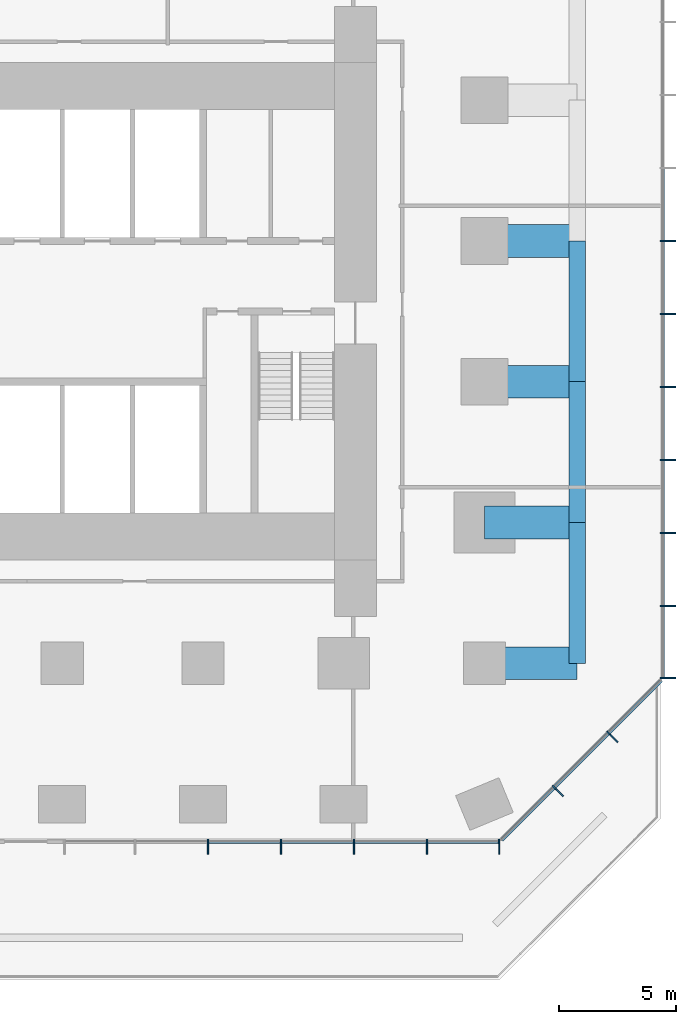
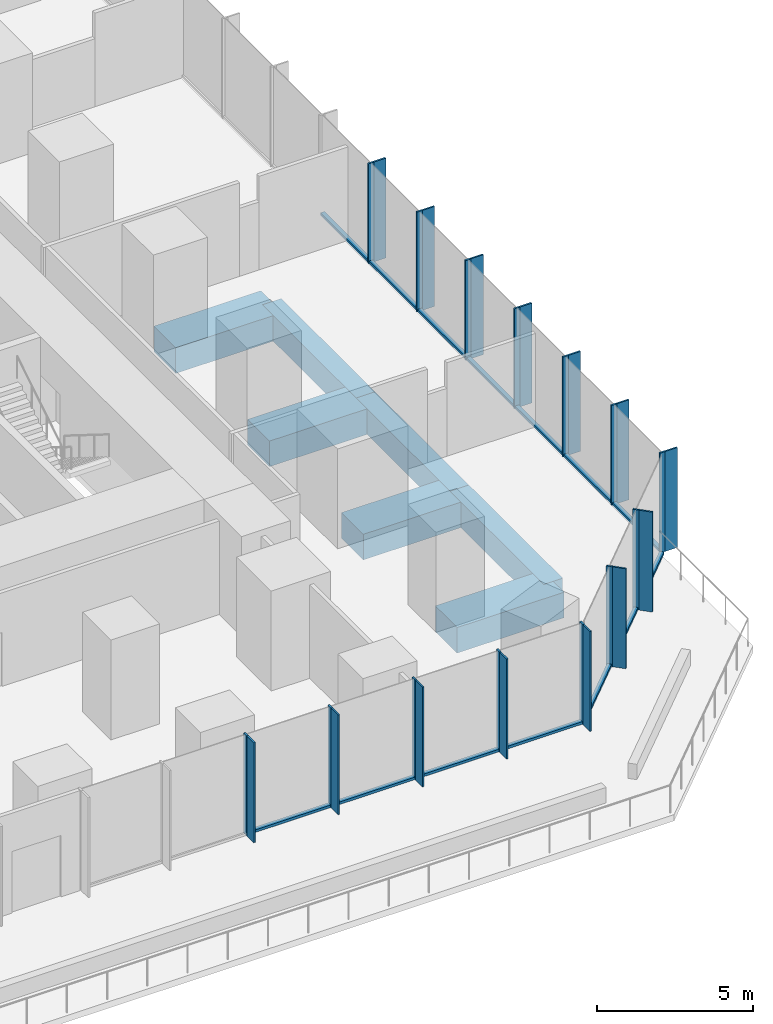
# One storey, part 4 of 12: 42 members, 7 beams, 3 elements without a shape of their own.
"""IFC4 building model written with IfcOpenShell, lengths in metres."""

from ifc_helpers import new_model, si_unit, direction, frame, origin, origin_2d, place, context, subcontext, project, spatial, rectangle, extrude, material, layer, layer_set, material_profile, profile_set, type_object, element, aggregate, save


model = new_model("IFC4")

# Units and contexts
model_context = context("Model", 3, precision=1e-05, world=origin(), true_north=direction((0.0, 1.0)))
body_context = subcontext(model_context, "Body", "Model", "MODEL_VIEW")
ifc_project = project(units=[si_unit("LENGTHUNIT", "METRE"), si_unit("AREAUNIT", "SQUARE_METRE"), si_unit("VOLUMEUNIT", "CUBIC_METRE"), si_unit("PLANEANGLEUNIT", "RADIAN"), si_unit("MASSUNIT", "GRAM", prefix="KILO")], contexts=[model_context])

# Site, building, storey
site_placement = place(None, origin())
site = spatial("IfcSite", under=ifc_project, at=site_placement, CompositionType="ELEMENT")
building_placement = place(site_placement, origin())
building = spatial("IfcBuilding", under=site, at=building_placement, Name="Highveld Stack Headquarters", CompositionType="ELEMENT")
storey_placement = place(building_placement, frame((0.0, 0.0, 65.0)))
storey = spatial("IfcBuildingStorey", under=building, at=storey_placement, Name="L15", CompositionType="ELEMENT", Elevation=65.0)

# Beams
ifc_material_1 = material(Name="Concrete C60/75", Category="concrete")
ifc_material_profile_1 = material_profile(ifc_material_1, rectangle(XDim=1.39990234375, YDim=1.0, at=origin_2d()), Name="RC 1400x1000")
ifc_profile_set_1 = profile_set([ifc_material_profile_1], Name="Concrete C60/75")
beam_type_1 = type_object("IfcBeamType", Name="CANTILEVER RIB RC 1400x1000", PredefinedType="USERDEFINED", material=ifc_profile_set_1)
for number, where, z_axis, x_axis, name in (
    (1, (24.0, -12.0, -0.75), (1.0, 0.0, 0.0), (0.0, 1.0, 0.0), "Cantilever rib 10/C L15"),
    (2, (24.0, -6.0, -0.75), (1.0, 0.0, 0.0), (0.0, 1.0, 0.0), "Cantilever rib 10/D L15"),
    (3, (24.0, 0.0, -0.75), (1.0, 0.0, 0.0), (0.0, 1.0, 0.0), "Cantilever rib 10/E L15"),
    (4, (24.0, 6.0, -0.75), (1.0, 0.0, 0.0), (0.0, 1.0, 0.0), "Cantilever rib 10/F L15"),
):
    element("IfcBeam", number, at=place(storey_placement, frame(where, z_axis=z_axis, x_axis=x_axis)), inside=storey, type_object=beam_type_1, Name=name, ObjectType="CANTILEVER RIB", PredefinedType="USERDEFINED", context=body_context, shape_type="SweptSolid", body=[
        extrude(rectangle(XDim=1.39990234375, YDim=1.0, at=origin_2d()), origin(), (0.0, 0.0, 1.0), 3.949951171875),
    ])

# Curtain wall, members
ifc_material_2 = material(Name="Aluminium bronze anodised", Category="aluminium")
ifc_layer_1 = layer(ifc_material_2, 0.199951171875)
ifc_layer_set_1 = layer_set([ifc_layer_1], Name="Aluminium bronze anodised")
curtain_wall_type_1 = type_object("IfcCurtainWallType", Name="CW1 TOWER UNITISED CURTAIN WALL", PredefinedType="NOTDEFINED", material=ifc_layer_set_1)
curtain_wall_1_placement = place(storey_placement, origin())
curtain_wall_1 = element("IfcCurtainWall", 5, at=curtain_wall_1_placement, inside=storey, type_object=curtain_wall_type_1, Name="Curtain wall CW1 L15 S-2", PredefinedType="NOTDEFINED")
ifc_material_3 = material(Name="Aluminium bronze anodised", Category="aluminium")
ifc_material_profile_2 = material_profile(ifc_material_3, rectangle(XDim=0.449951171875, YDim=0.06005859375, at=origin_2d()), Name="FIN 450x60")
ifc_profile_set_2 = profile_set([ifc_material_profile_2], Name="Aluminium bronze anodised")
member_type_1 = type_object("IfcMemberType", Name="CW1 BRONZE FIN 450x60", PredefinedType="USERDEFINED", material=ifc_profile_set_2)
member_1_placement = place(storey_placement, frame((12.220947265625, -19.925048828125, 0.0), z_axis=(0.0, 0.0, 1.0), x_axis=(0.0, 1.0, 0.0)))
member_1 = element("IfcMember", 6, at=member_1_placement, type_object=member_type_1, Name="CW1 fin L15 3", ObjectType="FIN", PredefinedType="USERDEFINED", context=body_context, shape_type="SweptSolid", body=[
    extrude(rectangle(XDim=0.449951171875, YDim=0.06005859375, at=origin_2d()), origin(), (0.0, 0.0, 1.0), 3.89990234375),
])
member_2_placement = place(storey_placement, frame((15.331298828125, -19.925048828125, 0.0), z_axis=(0.0, 0.0, 1.0), x_axis=(0.0, 1.0, 0.0)))
member_2 = element("IfcMember", 7, at=member_2_placement, type_object=member_type_1, Name="CW1 fin L15 4", ObjectType="FIN", PredefinedType="USERDEFINED", context=body_context, shape_type="SweptSolid", body=[
    extrude(rectangle(XDim=0.449951171875, YDim=0.06005859375, at=origin_2d()), origin(), (0.0, 0.0, 1.0), 3.89990234375),
])
member_3_placement = place(storey_placement, frame((18.44189453125, -19.925048828125, 0.0), z_axis=(0.0, 0.0, 1.0), x_axis=(0.0, 1.0, 0.0)))
member_3 = element("IfcMember", 8, at=member_3_placement, type_object=member_type_1, Name="CW1 fin L15 5", ObjectType="FIN", PredefinedType="USERDEFINED", context=body_context, shape_type="SweptSolid", body=[
    extrude(rectangle(XDim=0.449951171875, YDim=0.06005859375, at=origin_2d()), origin(), (0.0, 0.0, 1.0), 3.89990234375),
])
member_4_placement = place(storey_placement, frame((21.55224609375, -19.925048828125, 0.0), z_axis=(0.0, 0.0, 1.0), x_axis=(0.0, 1.0, 0.0)))
member_4 = element("IfcMember", 9, at=member_4_placement, type_object=member_type_1, Name="CW1 fin L15 6", ObjectType="FIN", PredefinedType="USERDEFINED", context=body_context, shape_type="SweptSolid", body=[
    extrude(rectangle(XDim=0.449951171875, YDim=0.06005859375, at=origin_2d()), origin(), (0.0, 0.0, 1.0), 3.89990234375),
])
member_5_placement = place(storey_placement, frame((24.630126953125, -19.925048828125, 0.0), z_axis=(0.0, 0.0, 1.0), x_axis=(0.0, 1.0, 0.0)))
member_5 = element("IfcMember", 10, at=member_5_placement, type_object=member_type_1, Name="CW1 fin L15 7", ObjectType="FIN", PredefinedType="USERDEFINED", context=body_context, shape_type="SweptSolid", body=[
    extrude(rectangle(XDim=0.449951171875, YDim=0.06005859375, at=origin_2d()), origin(), (0.0, 0.0, 1.0), 3.89990234375),
])

curtain_wall_2_placement = place(storey_placement, origin())
curtain_wall_2 = element("IfcCurtainWall", 11, at=curtain_wall_2_placement, inside=storey, type_object=curtain_wall_type_1, Name="Curtain wall CW1 L15 E", PredefinedType="NOTDEFINED")
member_6_placement = place(storey_placement, frame((31.925048828125, -12.630126953125, 0.0), z_axis=(0.0, 0.0, 1.0), x_axis=(-1.0, 0.0, 0.0)))
member_6 = element("IfcMember", 12, at=member_6_placement, type_object=member_type_1, Name="CW1 fin L15 1", ObjectType="FIN", PredefinedType="USERDEFINED", context=body_context, shape_type="SweptSolid", body=[
    extrude(rectangle(XDim=0.449951171875, YDim=0.06005859375, at=origin_2d()), origin(), (0.0, 0.0, 1.0), 3.89990234375),
])
member_7_placement = place(storey_placement, frame((31.925048828125, -9.55224609375, 0.0), z_axis=(0.0, 0.0, 1.0), x_axis=(-1.0, 0.0, 0.0)))
member_7 = element("IfcMember", 13, at=member_7_placement, type_object=member_type_1, Name="CW1 fin L15 2", ObjectType="FIN", PredefinedType="USERDEFINED", context=body_context, shape_type="SweptSolid", body=[
    extrude(rectangle(XDim=0.449951171875, YDim=0.06005859375, at=origin_2d()), origin(), (0.0, 0.0, 1.0), 3.89990234375),
])
member_8_placement = place(storey_placement, frame((31.925048828125, -6.44189453125, 0.0), z_axis=(0.0, 0.0, 1.0), x_axis=(-1.0, 0.0, 0.0)))
member_8 = element("IfcMember", 14, at=member_8_placement, type_object=member_type_1, Name="CW1 fin L15 3", ObjectType="FIN", PredefinedType="USERDEFINED", context=body_context, shape_type="SweptSolid", body=[
    extrude(rectangle(XDim=0.449951171875, YDim=0.06005859375, at=origin_2d()), origin(), (0.0, 0.0, 1.0), 3.89990234375),
])
member_9_placement = place(storey_placement, frame((31.925048828125, -3.331298828125, 0.0), z_axis=(0.0, 0.0, 1.0), x_axis=(-1.0, 0.0, 0.0)))
member_9 = element("IfcMember", 15, at=member_9_placement, type_object=member_type_1, Name="CW1 fin L15 4", ObjectType="FIN", PredefinedType="USERDEFINED", context=body_context, shape_type="SweptSolid", body=[
    extrude(rectangle(XDim=0.449951171875, YDim=0.06005859375, at=origin_2d()), origin(), (0.0, 0.0, 1.0), 3.89990234375),
])
member_10_placement = place(storey_placement, frame((31.925048828125, -0.220947265625, 0.0), z_axis=(0.0, 0.0, 1.0), x_axis=(-1.0, 0.0, 0.0)))
member_10 = element("IfcMember", 16, at=member_10_placement, type_object=member_type_1, Name="CW1 fin L15 5", ObjectType="FIN", PredefinedType="USERDEFINED", context=body_context, shape_type="SweptSolid", body=[
    extrude(rectangle(XDim=0.449951171875, YDim=0.06005859375, at=origin_2d()), origin(), (0.0, 0.0, 1.0), 3.89990234375),
])
member_11_placement = place(storey_placement, frame((31.925048828125, 2.8896484375, 0.0), z_axis=(0.0, 0.0, 1.0), x_axis=(-1.0, 0.0, 0.0)))
member_11 = element("IfcMember", 17, at=member_11_placement, type_object=member_type_1, Name="CW1 fin L15 6", ObjectType="FIN", PredefinedType="USERDEFINED", context=body_context, shape_type="SweptSolid", body=[
    extrude(rectangle(XDim=0.449951171875, YDim=0.06005859375, at=origin_2d()), origin(), (0.0, 0.0, 1.0), 3.89990234375),
])
member_12_placement = place(storey_placement, frame((31.925048828125, 6.0, 0.0), z_axis=(0.0, 0.0, 1.0), x_axis=(-1.0, 0.0, 0.0)))
member_12 = element("IfcMember", 18, at=member_12_placement, type_object=member_type_1, Name="CW1 fin L15 7", ObjectType="FIN", PredefinedType="USERDEFINED", context=body_context, shape_type="SweptSolid", body=[
    extrude(rectangle(XDim=0.449951171875, YDim=0.06005859375, at=origin_2d()), origin(), (0.0, 0.0, 1.0), 3.89990234375),
])

# Member
ifc_material_4 = material(Name="Aluminium bronze anodised", Category="aluminium")
ifc_material_profile_3 = material_profile(ifc_material_4, rectangle(XDim=0.199951171875, YDim=0.06494140625, at=origin_2d()), Name="CW1 MULLION 65x200")
ifc_profile_set_3 = profile_set([ifc_material_profile_3], Name="Aluminium bronze anodised")
member_type_2 = type_object("IfcMemberType", Name="CW1 MULLION 65x200", PredefinedType="MULLION", material=ifc_profile_set_3)
member_13_placement = place(storey_placement, frame((12.220947265625, -19.60009765625, 0.0), z_axis=(0.0, 0.0, 1.0), x_axis=(0.0, 1.0, 0.0)))
member_13 = element("IfcMember", 19, at=member_13_placement, type_object=member_type_2, Name="CW1 mullion L15 3", PredefinedType="MULLION", context=body_context, shape_type="SweptSolid", body=[
    extrude(rectangle(XDim=0.199951171875, YDim=0.06494140625, at=origin_2d()), origin(), (0.0, 0.0, 1.0), 3.89990234375),
])

member_14_placement = place(storey_placement, frame((15.331298828125, -19.60009765625, 0.0), z_axis=(0.0, 0.0, 1.0), x_axis=(0.0, 1.0, 0.0)))
member_14 = element("IfcMember", 20, at=member_14_placement, type_object=member_type_2, Name="CW1 mullion L15 4", PredefinedType="MULLION", context=body_context, shape_type="SweptSolid", body=[
    extrude(rectangle(XDim=0.199951171875, YDim=0.06494140625, at=origin_2d()), origin(), (0.0, 0.0, 1.0), 3.89990234375),
])

member_15_placement = place(storey_placement, frame((18.44189453125, -19.60009765625, 0.0), z_axis=(0.0, 0.0, 1.0), x_axis=(0.0, 1.0, 0.0)))
member_15 = element("IfcMember", 21, at=member_15_placement, type_object=member_type_2, Name="CW1 mullion L15 5", PredefinedType="MULLION", context=body_context, shape_type="SweptSolid", body=[
    extrude(rectangle(XDim=0.199951171875, YDim=0.06494140625, at=origin_2d()), origin(), (0.0, 0.0, 1.0), 3.89990234375),
])

member_16_placement = place(storey_placement, frame((21.55224609375, -19.60009765625, 0.0), z_axis=(0.0, 0.0, 1.0), x_axis=(0.0, 1.0, 0.0)))
member_16 = element("IfcMember", 22, at=member_16_placement, type_object=member_type_2, Name="CW1 mullion L15 6", PredefinedType="MULLION", context=body_context, shape_type="SweptSolid", body=[
    extrude(rectangle(XDim=0.199951171875, YDim=0.06494140625, at=origin_2d()), origin(), (0.0, 0.0, 1.0), 3.89990234375),
])

member_17_placement = place(storey_placement, frame((24.630126953125, -19.60009765625, 0.0), z_axis=(0.0, 0.0, 1.0), x_axis=(0.0, 1.0, 0.0)))
member_17 = element("IfcMember", 23, at=member_17_placement, type_object=member_type_2, Name="CW1 mullion L15 7", PredefinedType="MULLION", context=body_context, shape_type="SweptSolid", body=[
    extrude(rectangle(XDim=0.199951171875, YDim=0.06494140625, at=origin_2d()), origin(), (0.0, 0.0, 1.0), 3.89990234375),
])

member_18_placement = place(storey_placement, frame((31.60009765625, -12.630126953125, 0.0), z_axis=(0.0, 0.0, 1.0), x_axis=(-1.0, 0.0, 0.0)))
member_18 = element("IfcMember", 24, at=member_18_placement, type_object=member_type_2, Name="CW1 mullion L15 1", PredefinedType="MULLION", context=body_context, shape_type="SweptSolid", body=[
    extrude(rectangle(XDim=0.199951171875, YDim=0.06494140625, at=origin_2d()), origin(), (0.0, 0.0, 1.0), 3.89990234375),
])

member_19_placement = place(storey_placement, frame((31.60009765625, -9.55224609375, 0.0), z_axis=(0.0, 0.0, 1.0), x_axis=(-1.0, 0.0, 0.0)))
member_19 = element("IfcMember", 25, at=member_19_placement, type_object=member_type_2, Name="CW1 mullion L15 2", PredefinedType="MULLION", context=body_context, shape_type="SweptSolid", body=[
    extrude(rectangle(XDim=0.199951171875, YDim=0.06494140625, at=origin_2d()), origin(), (0.0, 0.0, 1.0), 3.89990234375),
])

member_20_placement = place(storey_placement, frame((31.60009765625, -6.44189453125, 0.0), z_axis=(0.0, 0.0, 1.0), x_axis=(-1.0, 0.0, 0.0)))
member_20 = element("IfcMember", 26, at=member_20_placement, type_object=member_type_2, Name="CW1 mullion L15 3", PredefinedType="MULLION", context=body_context, shape_type="SweptSolid", body=[
    extrude(rectangle(XDim=0.199951171875, YDim=0.06494140625, at=origin_2d()), origin(), (0.0, 0.0, 1.0), 3.89990234375),
])

member_21_placement = place(storey_placement, frame((31.60009765625, -3.331298828125, 0.0), z_axis=(0.0, 0.0, 1.0), x_axis=(-1.0, 0.0, 0.0)))
member_21 = element("IfcMember", 27, at=member_21_placement, type_object=member_type_2, Name="CW1 mullion L15 4", PredefinedType="MULLION", context=body_context, shape_type="SweptSolid", body=[
    extrude(rectangle(XDim=0.199951171875, YDim=0.06494140625, at=origin_2d()), origin(), (0.0, 0.0, 1.0), 3.89990234375),
])

member_22_placement = place(storey_placement, frame((31.60009765625, -0.220947265625, 0.0), z_axis=(0.0, 0.0, 1.0), x_axis=(-1.0, 0.0, 0.0)))
member_22 = element("IfcMember", 28, at=member_22_placement, type_object=member_type_2, Name="CW1 mullion L15 5", PredefinedType="MULLION", context=body_context, shape_type="SweptSolid", body=[
    extrude(rectangle(XDim=0.199951171875, YDim=0.06494140625, at=origin_2d()), origin(), (0.0, 0.0, 1.0), 3.89990234375),
])

member_23_placement = place(storey_placement, frame((31.60009765625, 2.8896484375, 0.0), z_axis=(0.0, 0.0, 1.0), x_axis=(-1.0, 0.0, 0.0)))
member_23 = element("IfcMember", 29, at=member_23_placement, type_object=member_type_2, Name="CW1 mullion L15 6", PredefinedType="MULLION", context=body_context, shape_type="SweptSolid", body=[
    extrude(rectangle(XDim=0.199951171875, YDim=0.06494140625, at=origin_2d()), origin(), (0.0, 0.0, 1.0), 3.89990234375),
])

member_24_placement = place(storey_placement, frame((31.60009765625, 6.0, 0.0), z_axis=(0.0, 0.0, 1.0), x_axis=(-1.0, 0.0, 0.0)))
member_24 = element("IfcMember", 30, at=member_24_placement, type_object=member_type_2, Name="CW1 mullion L15 7", PredefinedType="MULLION", context=body_context, shape_type="SweptSolid", body=[
    extrude(rectangle(XDim=0.199951171875, YDim=0.06494140625, at=origin_2d()), origin(), (0.0, 0.0, 1.0), 3.89990234375),
])

ifc_material_5 = material(Name="Aluminium bronze anodised", Category="aluminium")
ifc_material_profile_4 = material_profile(ifc_material_5, rectangle(XDim=0.14990234375, YDim=0.10009765625, at=origin_2d()), Name="CW1 TRANSOM 150x100")
ifc_profile_set_4 = profile_set([ifc_material_profile_4], Name="Aluminium bronze anodised")
member_type_3 = type_object("IfcMemberType", Name="CW1 STACK TRANSOM 150x100", PredefinedType="USERDEFINED", material=ifc_profile_set_4)
member_25_placement = place(storey_placement, frame((12.25341796875, -19.60009765625, 0.050048828125), z_axis=(1.0, 0.0, 0.0), x_axis=(0.0, 1.0, 0.0)))
member_25 = element("IfcMember", 31, at=member_25_placement, type_object=member_type_3, Name="CW1 transom L15 9.1", ObjectType="TRANSOM", PredefinedType="USERDEFINED", context=body_context, shape_type="SweptSolid", body=[
    extrude(rectangle(XDim=0.14990234375, YDim=0.10009765625, at=origin_2d()), origin(), (0.0, 0.0, 1.0), 3.04541015625),
])

member_26_placement = place(storey_placement, frame((15.364013671875, -19.60009765625, 0.050048828125), z_axis=(1.0, 0.0, 0.0), x_axis=(0.0, 1.0, 0.0)))
member_26 = element("IfcMember", 32, at=member_26_placement, type_object=member_type_3, Name="CW1 transom L15 10.1", ObjectType="TRANSOM", PredefinedType="USERDEFINED", context=body_context, shape_type="SweptSolid", body=[
    extrude(rectangle(XDim=0.14990234375, YDim=0.10009765625, at=origin_2d()), origin(), (0.0, 0.0, 1.0), 3.045166015625),
])

member_27_placement = place(storey_placement, frame((18.474365234375, -19.60009765625, 0.050048828125), z_axis=(1.0, 0.0, 0.0), x_axis=(0.0, 1.0, 0.0)))
member_27 = element("IfcMember", 33, at=member_27_placement, type_object=member_type_3, Name="CW1 transom L15 11.1", ObjectType="TRANSOM", PredefinedType="USERDEFINED", context=body_context, shape_type="SweptSolid", body=[
    extrude(rectangle(XDim=0.14990234375, YDim=0.10009765625, at=origin_2d()), origin(), (0.0, 0.0, 1.0), 3.04541015625),
])

member_28_placement = place(storey_placement, frame((21.584716796875, -19.60009765625, 0.050048828125), z_axis=(1.0, 0.0, 0.0), x_axis=(0.0, 1.0, 0.0)))
member_28 = element("IfcMember", 34, at=member_28_placement, type_object=member_type_3, Name="CW1 transom L15 12.1", ObjectType="TRANSOM", PredefinedType="USERDEFINED", context=body_context, shape_type="SweptSolid", body=[
    extrude(rectangle(XDim=0.14990234375, YDim=0.10009765625, at=origin_2d()), origin(), (0.0, 0.0, 1.0), 3.012939453125),
])

aggregate(curtain_wall_1, [member_13, member_1, member_14, member_2, member_15, member_3, member_16, member_4, member_17, member_5, member_25, member_26, member_27, member_28])

member_29_placement = place(storey_placement, frame((31.60009765625, -12.59765625, 0.050048828125), z_axis=(0.0, 1.0, 0.0), x_axis=(-1.0, 0.0, 0.0)))
member_29 = element("IfcMember", 35, at=member_29_placement, type_object=member_type_3, Name="CW1 transom L15 1.1", ObjectType="TRANSOM", PredefinedType="USERDEFINED", context=body_context, shape_type="SweptSolid", body=[
    extrude(rectangle(XDim=0.14990234375, YDim=0.10009765625, at=origin_2d()), origin(), (0.0, 0.0, 1.0), 3.012939453125),
])

member_30_placement = place(storey_placement, frame((31.60009765625, -9.519775390625, 0.050048828125), z_axis=(0.0, 1.0, 0.0), x_axis=(-1.0, 0.0, 0.0)))
member_30 = element("IfcMember", 36, at=member_30_placement, type_object=member_type_3, Name="CW1 transom L15 2.1", ObjectType="TRANSOM", PredefinedType="USERDEFINED", context=body_context, shape_type="SweptSolid", body=[
    extrude(rectangle(XDim=0.14990234375, YDim=0.10009765625, at=origin_2d()), origin(), (0.0, 0.0, 1.0), 3.04541015625),
])

member_31_placement = place(storey_placement, frame((31.60009765625, -6.4091796875, 0.050048828125), z_axis=(0.0, 1.0, 0.0), x_axis=(-1.0, 0.0, 0.0)))
member_31 = element("IfcMember", 37, at=member_31_placement, type_object=member_type_3, Name="CW1 transom L15 3.1", ObjectType="TRANSOM", PredefinedType="USERDEFINED", context=body_context, shape_type="SweptSolid", body=[
    extrude(rectangle(XDim=0.14990234375, YDim=0.10009765625, at=origin_2d()), origin(), (0.0, 0.0, 1.0), 3.04541015625),
])

member_32_placement = place(storey_placement, frame((31.60009765625, -3.298828125, 0.050048828125), z_axis=(0.0, 1.0, 0.0), x_axis=(-1.0, 0.0, 0.0)))
member_32 = element("IfcMember", 38, at=member_32_placement, type_object=member_type_3, Name="CW1 transom L15 4.1", ObjectType="TRANSOM", PredefinedType="USERDEFINED", context=body_context, shape_type="SweptSolid", body=[
    extrude(rectangle(XDim=0.14990234375, YDim=0.10009765625, at=origin_2d()), origin(), (0.0, 0.0, 1.0), 3.04541015625),
])

member_33_placement = place(storey_placement, frame((31.60009765625, -0.1884765625, 0.050048828125), z_axis=(0.0, 1.0, 0.0), x_axis=(-1.0, 0.0, 0.0)))
member_33 = element("IfcMember", 39, at=member_33_placement, type_object=member_type_3, Name="CW1 transom L15 5.1", ObjectType="TRANSOM", PredefinedType="USERDEFINED", context=body_context, shape_type="SweptSolid", body=[
    extrude(rectangle(XDim=0.14990234375, YDim=0.10009765625, at=origin_2d()), origin(), (0.0, 0.0, 1.0), 3.045654296875),
])

member_34_placement = place(storey_placement, frame((31.60009765625, 2.922119140625, 0.050048828125), z_axis=(0.0, 1.0, 0.0), x_axis=(-1.0, 0.0, 0.0)))
member_34 = element("IfcMember", 40, at=member_34_placement, type_object=member_type_3, Name="CW1 transom L15 6.1", ObjectType="TRANSOM", PredefinedType="USERDEFINED", context=body_context, shape_type="SweptSolid", body=[
    extrude(rectangle(XDim=0.14990234375, YDim=0.10009765625, at=origin_2d()), origin(), (0.0, 0.0, 1.0), 3.04541015625),
])

member_35_placement = place(storey_placement, frame((31.60009765625, 6.032470703125, 0.050048828125), z_axis=(0.0, 1.0, 0.0), x_axis=(-1.0, 0.0, 0.0)))
member_35 = element("IfcMember", 41, at=member_35_placement, type_object=member_type_3, Name="CW1 transom L15 7.1", ObjectType="TRANSOM", PredefinedType="USERDEFINED", context=body_context, shape_type="SweptSolid", body=[
    extrude(rectangle(XDim=0.14990234375, YDim=0.10009765625, at=origin_2d()), origin(), (0.0, 0.0, 1.0), 3.04541015625),
])

aggregate(curtain_wall_2, [member_18, member_6, member_19, member_7, member_20, member_8, member_21, member_9, member_22, member_10, member_23, member_11, member_24, member_12, member_29, member_30, member_31, member_32, member_33, member_34, member_35])

# Curtain wall, members
ifc_material_6 = material(Name="Aluminium bronze anodised", Category="aluminium")
ifc_layer_2 = layer(ifc_material_6, 0.199951171875)
ifc_layer_set_2 = layer_set([ifc_layer_2], Name="Aluminium bronze anodised")
curtain_wall_type_2 = type_object("IfcCurtainWallType", Name="CW2 TOWER CHAMFER UNITISED CURTAIN WALL", PredefinedType="NOTDEFINED", material=ifc_layer_set_2)
curtain_wall_3_placement = place(storey_placement, origin())
curtain_wall_3 = element("IfcCurtainWall", 42, at=curtain_wall_3_placement, inside=storey, type_object=curtain_wall_type_2, Name="Curtain wall CW2 L15 SE", PredefinedType="NOTDEFINED")
ifc_material_7 = material(Name="Aluminium bronze anodised", Category="aluminium")
ifc_material_profile_5 = material_profile(ifc_material_7, rectangle(XDim=0.449951171875, YDim=0.06005859375, at=origin_2d()), Name="FIN 450x60")
ifc_profile_set_5 = profile_set([ifc_material_profile_5], Name="Aluminium bronze anodised")
member_type_4 = type_object("IfcMemberType", Name="CW2 BRONZE FIN 450x60", PredefinedType="USERDEFINED", material=ifc_profile_set_5)
member_36_placement = place(storey_placement, frame((27.204833984375, -17.517333984375, 0.0), z_axis=(0.0, 0.0, 1.0), x_axis=(-0.707106781187, 0.707106781187, 0.0)))
member_36 = element("IfcMember", 43, at=member_36_placement, type_object=member_type_4, Name="CW2 fin L15 1", ObjectType="FIN", PredefinedType="USERDEFINED", context=body_context, shape_type="SweptSolid", body=[
    extrude(rectangle(XDim=0.449951171875, YDim=0.06005859375, at=origin_2d()), origin(), (0.0, 0.0, 1.0), 3.89990234375),
])
member_37_placement = place(storey_placement, frame((29.517333984375, -15.204833984375, 0.0), z_axis=(0.0, 0.0, 1.0), x_axis=(-0.707106781187, 0.707106781187, 0.0)))
member_37 = element("IfcMember", 44, at=member_37_placement, type_object=member_type_4, Name="CW2 fin L15 2", ObjectType="FIN", PredefinedType="USERDEFINED", context=body_context, shape_type="SweptSolid", body=[
    extrude(rectangle(XDim=0.449951171875, YDim=0.06005859375, at=origin_2d()), origin(), (0.0, 0.0, 1.0), 3.89990234375),
])
ifc_material_8 = material(Name="Aluminium bronze anodised", Category="aluminium")
ifc_material_profile_6 = material_profile(ifc_material_8, rectangle(XDim=0.199951171875, YDim=0.06494140625, at=origin_2d()), Name="CW2 MULLION 65x200")
ifc_profile_set_6 = profile_set([ifc_material_profile_6], Name="Aluminium bronze anodised")
member_type_5 = type_object("IfcMemberType", Name="CW2 MULLION 65x200", PredefinedType="MULLION", material=ifc_profile_set_6)
member_38_placement = place(storey_placement, frame((26.97509765625, -17.28759765625, 0.0), z_axis=(0.0, 0.0, 1.0), x_axis=(-0.707106781187, 0.707106781187, 0.0)))
member_38 = element("IfcMember", 45, at=member_38_placement, type_object=member_type_5, Name="CW2 mullion L15 1", PredefinedType="MULLION", context=body_context, shape_type="SweptSolid", body=[
    extrude(rectangle(XDim=0.199951171875, YDim=0.06494140625, at=origin_2d()), origin(), (0.0, 0.0, 1.0), 3.89990234375),
])
member_39_placement = place(storey_placement, frame((29.28759765625, -14.97509765625, 0.0), z_axis=(0.0, 0.0, 1.0), x_axis=(-0.707106781187, 0.707106781187, 0.0)))
member_39 = element("IfcMember", 46, at=member_39_placement, type_object=member_type_5, Name="CW2 mullion L15 2", PredefinedType="MULLION", context=body_context, shape_type="SweptSolid", body=[
    extrude(rectangle(XDim=0.199951171875, YDim=0.06494140625, at=origin_2d()), origin(), (0.0, 0.0, 1.0), 3.89990234375),
])
ifc_material_9 = material(Name="Aluminium bronze anodised", Category="aluminium")
ifc_material_profile_7 = material_profile(ifc_material_9, rectangle(XDim=0.14990234375, YDim=0.10009765625, at=origin_2d()), Name="CW2 TRANSOM 150x100")
ifc_profile_set_7 = profile_set([ifc_material_profile_7], Name="Aluminium bronze anodised")
member_type_6 = type_object("IfcMemberType", Name="CW2 STACK TRANSOM 150x100", PredefinedType="USERDEFINED", material=ifc_profile_set_7)
member_40_placement = place(storey_placement, frame((24.7333984375, -19.529296875, 0.050048828125), z_axis=(0.707106781187, 0.707106781187, 0.0), x_axis=(-0.707106781187, 0.707106781187, 0.0)))
member_40 = element("IfcMember", 47, at=member_40_placement, type_object=member_type_6, Name="CW2 transom L15 1.1", ObjectType="TRANSOM", PredefinedType="USERDEFINED", context=body_context, shape_type="SweptSolid", body=[
    extrude(rectangle(XDim=0.14990234375, YDim=0.10009765625, at=origin_2d()), origin(), (0.0, 0.0, 1.0), 3.1376953125),
])
member_41_placement = place(storey_placement, frame((26.998046875, -17.2646484375, 0.050048828125), z_axis=(0.707106781187, 0.707106781187, 0.0), x_axis=(-0.707106781187, 0.707106781187, 0.0)))
member_41 = element("IfcMember", 48, at=member_41_placement, type_object=member_type_6, Name="CW2 transom L15 2.1", ObjectType="TRANSOM", PredefinedType="USERDEFINED", context=body_context, shape_type="SweptSolid", body=[
    extrude(rectangle(XDim=0.14990234375, YDim=0.10009765625, at=origin_2d()), origin(), (0.0, 0.0, 1.0), 3.20556640625),
])
member_42_placement = place(storey_placement, frame((29.310546875, -14.9521484375, 0.050048828125), z_axis=(0.707106781187, 0.707106781187, 0.0), x_axis=(-0.707106781187, 0.707106781187, 0.0)))
member_42 = element("IfcMember", 49, at=member_42_placement, type_object=member_type_6, Name="CW2 transom L15 3.1", ObjectType="TRANSOM", PredefinedType="USERDEFINED", context=body_context, shape_type="SweptSolid", body=[
    extrude(rectangle(XDim=0.14990234375, YDim=0.10009765625, at=origin_2d()), origin(), (0.0, 0.0, 1.0), 3.1376953125),
])
aggregate(curtain_wall_3, [member_38, member_36, member_39, member_37, member_40, member_41, member_42])

# Beams
ifc_material_10 = material(Name="Concrete C60/75", Category="concrete")
ifc_material_profile_8 = material_profile(ifc_material_10, rectangle(XDim=0.699951171875, YDim=1.0, at=origin_2d()), Name="RC 700x1000")
ifc_profile_set_8 = profile_set([ifc_material_profile_8], Name="Concrete C60/75")
beam_type_2 = type_object("IfcBeamType", Name="RIB TIP BEAM RC 700x1000", PredefinedType="SPANDREL", material=ifc_profile_set_8)
for number, where, z_axis, x_axis, name in (
    (50, (27.949951171875, -12.0, -0.75), (0.0, 1.0, 0.0), (-1.0, 0.0, 0.0), "Rib tip beam 10/C to 10/D L15"),
    (51, (27.949951171875, -6.0, -0.75), (0.0, 1.0, 0.0), (-1.0, 0.0, 0.0), "Rib tip beam 10/D to 10/E L15"),
    (52, (27.949951171875, 0.0, -0.75), (0.0, 1.0, 0.0), (-1.0, 0.0, 0.0), "Rib tip beam 10/E to 10/F L15"),
):
    element("IfcBeam", number, at=place(storey_placement, frame(where, z_axis=z_axis, x_axis=x_axis)), inside=storey, type_object=beam_type_2, Name=name, PredefinedType="SPANDREL", context=body_context, shape_type="SweptSolid", body=[
        extrude(rectangle(XDim=0.699951171875, YDim=1.0, at=origin_2d()), origin(), (0.0, 0.0, 1.0), 6.0),
    ])

save(model, "model.ifc")
